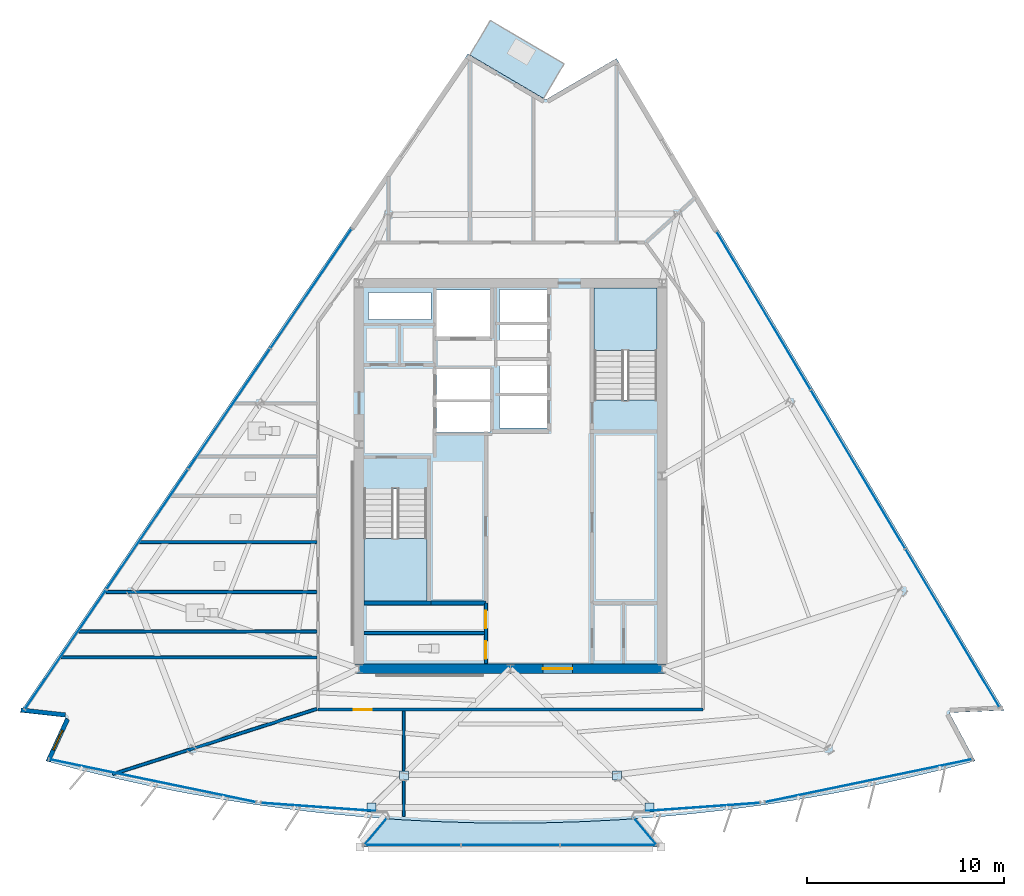
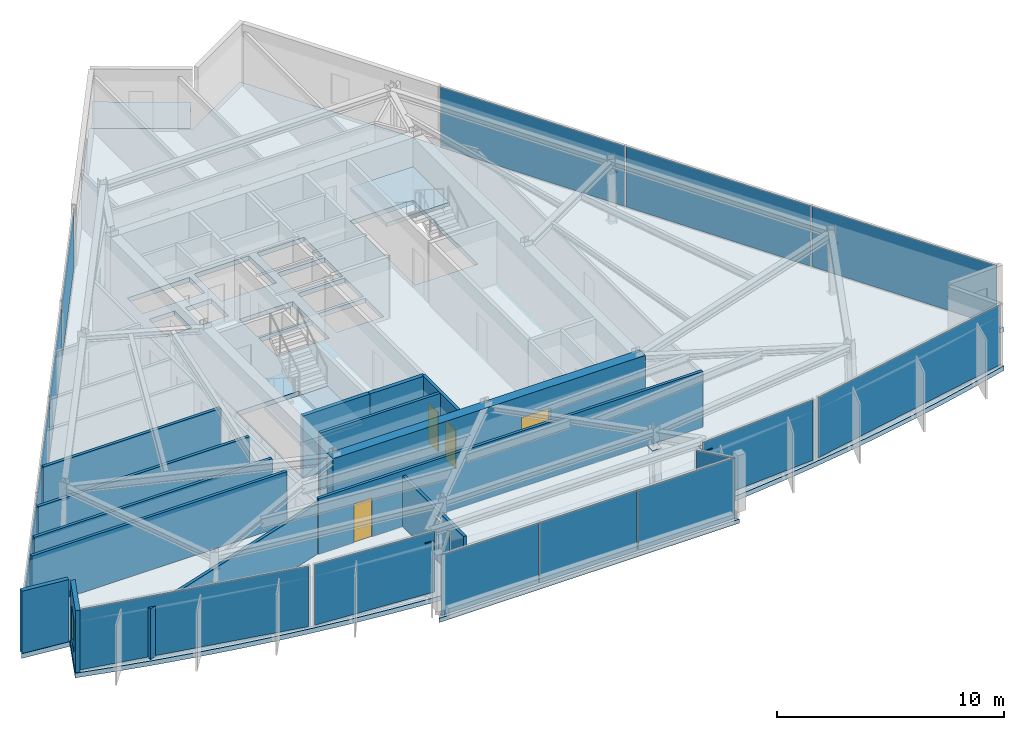
# One storey, part 7 of 14: 20 plates, 14 walls, 5 slabs, 4 doors, 1 window, 5 openings, 11 elements without a shape of their own.
"""IFC4 building model written with IfcOpenShell, lengths in metres."""

from ifc_helpers import new_model, si_unit, direction, frame, frame_2d, origin, origin_2d, place, context, subcontext, project, spatial, polyline, rectangle, outline, extrude, material, layer, layer_set, type_object, element, fill, aggregate, save


model = new_model("IFC4")

# Units and contexts
model_context = context("Model", 3, precision=1e-05, world=origin(), true_north=direction((0.0, 1.0)))
body_context = subcontext(model_context, "Body", "Model", "MODEL_VIEW")
ifc_project = project(units=[si_unit("LENGTHUNIT", "METRE"), si_unit("AREAUNIT", "SQUARE_METRE"), si_unit("VOLUMEUNIT", "CUBIC_METRE"), si_unit("PLANEANGLEUNIT", "RADIAN"), si_unit("MASSUNIT", "GRAM", prefix="KILO")], contexts=[model_context])

# Site, building, storey
site_placement = place(None, origin())
site = spatial("IfcSite", under=ifc_project, at=site_placement, CompositionType="ELEMENT")
building_placement = place(site_placement, origin())
building = spatial("IfcBuilding", under=site, at=building_placement, Name="Savorim Split Tower", CompositionType="ELEMENT")
storey_placement = place(building_placement, frame((0.0, 0.0, 234.300048828125)))
storey = spatial("IfcBuildingStorey", under=building, at=storey_placement, Name="L62", CompositionType="ELEMENT", Elevation=234.300048828125)

# Curtain wall, plate
ifc_material_1 = material(Name="Dark Ceramic-Fritted Insulated Glass", Category="glass")
curtain_wall_type_1 = type_object("IfcCurtainWallType", Name="CW-TWR-FRIT-B", PredefinedType="NOTDEFINED", material=ifc_material_1)
curtain_wall_1_placement = place(storey_placement, origin())
curtain_wall_1 = element("IfcCurtainWall", 1, at=curtain_wall_1_placement, inside=storey, type_object=curtain_wall_type_1, Name="L62 Curtain Wall CW-L62-SF1A", PredefinedType="NOTDEFINED")
ifc_layer_1 = layer(ifc_material_1, 0.02587890625)
ifc_layer_set_1 = layer_set([ifc_layer_1], Name="CWP-FRITB-26")
plate_type_1 = type_object("IfcPlateType", Name="CWP-FRITB-26", PredefinedType="CURTAIN_PANEL", material=ifc_layer_set_1)
plate_1_placement = place(storey_placement, frame((-18.205322265625, -15.09423828125, 0.050048828125), z_axis=(0.0, 0.0, 1.0), x_axis=(0.979134184169, -0.203214786352, 0.0)))
plate_1 = element("IfcPlate", 2, at=plate_1_placement, type_object=plate_type_1, Name="CW-03 panel 1.1", PredefinedType="CURTAIN_PANEL", context=body_context, shape_type="SweptSolid", body=[
    extrude(rectangle(XDim=10.70849609375, YDim=0.02587890625, at=origin_2d()), origin(), (0.0, 0.0, 1.0), 3.25),
])
aggregate(curtain_wall_1, [plate_1])

curtain_wall_2_placement = place(storey_placement, origin())
curtain_wall_2 = element("IfcCurtainWall", 3, at=curtain_wall_2_placement, inside=storey, type_object=curtain_wall_type_1, Name="L62 Curtain Wall CW-L62-SF2A", PredefinedType="NOTDEFINED")
plate_2_placement = place(storey_placement, frame((-9.7470703125, -16.433349609375, 0.050048828125), z_axis=(0.0, 0.0, 1.0), x_axis=(0.997436443549, -0.071557956097, 0.0)))
plate_2 = element("IfcPlate", 4, at=plate_2_placement, type_object=plate_type_1, Name="CW-03 panel 1.1", PredefinedType="CURTAIN_PANEL", context=body_context, shape_type="SweptSolid", body=[
    extrude(rectangle(XDim=5.845703125, YDim=0.02587890625, at=origin_2d()), origin(), (0.0, 0.0, 1.0), 3.25),
])
aggregate(curtain_wall_2, [plate_2])

curtain_wall_3_placement = place(storey_placement, origin())
curtain_wall_3 = element("IfcCurtainWall", 5, at=curtain_wall_3_placement, inside=storey, type_object=curtain_wall_type_1, Name="L62 Curtain Wall CW-L62-SF3A", PredefinedType="NOTDEFINED")
plate_3_placement = place(storey_placement, frame((9.7470703125, -16.433349609375, 0.050048828125), z_axis=(0.0, 0.0, 1.0), x_axis=(0.997436443549, 0.071557956097, 0.0)))
plate_3 = element("IfcPlate", 6, at=plate_3_placement, type_object=plate_type_1, Name="CW-03 panel 1.1", PredefinedType="CURTAIN_PANEL", context=body_context, shape_type="SweptSolid", body=[
    extrude(rectangle(XDim=5.845703125, YDim=0.02587890625, at=origin_2d()), origin(), (0.0, 0.0, 1.0), 3.25),
])
aggregate(curtain_wall_3, [plate_3])

curtain_wall_4_placement = place(storey_placement, origin())
curtain_wall_4 = element("IfcCurtainWall", 7, at=curtain_wall_4_placement, inside=storey, type_object=curtain_wall_type_1, Name="L62 Curtain Wall CW-L62-SF4A", PredefinedType="NOTDEFINED")
plate_4_placement = place(storey_placement, frame((18.205322265625, -15.09423828125, 0.050048828125), z_axis=(0.0, 0.0, 1.0), x_axis=(0.979134184169, 0.203214786352, 0.0)))
plate_4 = element("IfcPlate", 8, at=plate_4_placement, type_object=plate_type_1, Name="CW-03 panel 1.1", PredefinedType="CURTAIN_PANEL", context=body_context, shape_type="SweptSolid", body=[
    extrude(rectangle(XDim=10.70849609375, YDim=0.02587890625, at=origin_2d()), origin(), (0.0, 0.0, 1.0), 3.25),
])
aggregate(curtain_wall_4, [plate_4])

# Curtain wall, plates
curtain_wall_5_placement = place(storey_placement, origin())
curtain_wall_5 = element("IfcCurtainWall", 9, at=curtain_wall_5_placement, inside=storey, type_object=curtain_wall_type_1, Name="L62 Curtain Wall CW-L62-EAST", PredefinedType="NOTDEFINED")
plate_5_placement = place(storey_placement, frame((22.467041015625, -7.335205078125, 0.050048828125), z_axis=(0.0, 0.0, 1.0), x_axis=(-0.51109620442, 0.859523513249, 0.0)))
plate_5 = element("IfcPlate", 10, at=plate_5_placement, type_object=plate_type_1, Name="CW-03 panel 1.1", PredefinedType="CURTAIN_PANEL", context=body_context, shape_type="SweptSolid", body=[
    extrude(rectangle(XDim=9.3125, YDim=0.02587890625, at=origin_2d()), origin(), (0.0, 0.0, 1.0), 3.25),
])
plate_6_placement = place(storey_placement, frame((17.669189453125, 0.733642578125, 0.050048828125), z_axis=(0.0, 0.0, 1.0), x_axis=(-0.51109620442, 0.859523513249, 0.0)))
plate_6 = element("IfcPlate", 11, at=plate_6_placement, type_object=plate_type_1, Name="CW-03 panel 2.1", PredefinedType="CURTAIN_PANEL", context=body_context, shape_type="SweptSolid", body=[
    extrude(rectangle(XDim=9.342529296875, YDim=0.02587890625, at=origin_2d()), origin(), (0.0, 0.0, 1.0), 3.25),
])
plate_7_placement = place(storey_placement, frame((12.871337890625, 8.802490234375, 0.050048828125), z_axis=(0.0, 0.0, 1.0), x_axis=(-0.51109620442, 0.859523513249, 0.0)))
plate_7 = element("IfcPlate", 12, at=plate_7_placement, type_object=plate_type_1, Name="CW-03 panel 3.1", PredefinedType="CURTAIN_PANEL", context=body_context, shape_type="SweptSolid", body=[
    extrude(rectangle(XDim=9.3125, YDim=0.02587890625, at=origin_2d()), origin(), (0.0, 0.0, 1.0), 3.25),
])
aggregate(curtain_wall_5, [plate_5, plate_6, plate_7])

curtain_wall_6_placement = place(storey_placement, origin())
curtain_wall_6 = element("IfcCurtainWall", 13, at=curtain_wall_6_placement, inside=storey, type_object=curtain_wall_type_1, Name="L62 Curtain Wall CW-L62-WEST", PredefinedType="NOTDEFINED")
plate_8_placement = place(storey_placement, frame((-10.14208984375, 9.923583984375, 0.050048828125), z_axis=(0.0, 0.0, 1.0), x_axis=(-0.562466573779, -0.826820024782, 0.0)))
plate_8 = element("IfcPlate", 14, at=plate_8_placement, type_object=plate_type_1, Name="CW-03 panel 1.1", PredefinedType="CURTAIN_PANEL", context=body_context, shape_type="SweptSolid", body=[
    extrude(rectangle(XDim=7.317626953125, YDim=0.02587890625, at=origin_2d()), origin(), (0.0, 0.0, 1.0), 3.25),
])
plate_9_placement = place(storey_placement, frame((-14.300048828125, 3.811279296875, 0.050048828125), z_axis=(0.0, 0.0, 1.0), x_axis=(-0.562466573779, -0.826820024782, 0.0)))
plate_9 = element("IfcPlate", 15, at=plate_9_placement, type_object=plate_type_1, Name="CW-03 panel 2.1", PredefinedType="CURTAIN_PANEL", context=body_context, shape_type="SweptSolid", body=[
    extrude(rectangle(XDim=7.347412109375, YDim=0.02587890625, at=origin_2d()), origin(), (0.0, 0.0, 1.0), 3.25),
])
plate_10_placement = place(storey_placement, frame((-18.466552734375, -2.313232421875, 0.050048828125), z_axis=(0.0, 0.0, 1.0), x_axis=(-0.562466573779, -0.826820024782, 0.0)))
plate_10 = element("IfcPlate", 16, at=plate_10_placement, type_object=plate_type_1, Name="CW-03 panel 3.1", PredefinedType="CURTAIN_PANEL", context=body_context, shape_type="SweptSolid", body=[
    extrude(rectangle(XDim=7.347412109375, YDim=0.02587890625, at=origin_2d()), origin(), (0.0, 0.0, 1.0), 3.25),
])
plate_11_placement = place(storey_placement, frame((-22.62451171875, -8.425537109375, 0.050048828125), z_axis=(0.0, 0.0, 1.0), x_axis=(-0.562466573779, -0.826820024782, 0.0)))
plate_11 = element("IfcPlate", 17, at=plate_11_placement, type_object=plate_type_1, Name="CW-03 panel 4.1", PredefinedType="CURTAIN_PANEL", context=body_context, shape_type="SweptSolid", body=[
    extrude(rectangle(XDim=7.317626953125, YDim=0.02587890625, at=origin_2d()), origin(), (0.0, 0.0, 1.0), 3.25),
])
aggregate(curtain_wall_6, [plate_8, plate_9, plate_10, plate_11])

curtain_wall_type_2 = type_object("IfcCurtainWallType", Name="CW-BAY-LOUNGE", PredefinedType="NOTDEFINED", material=ifc_material_1)
curtain_wall_7_placement = place(storey_placement, origin())
curtain_wall_7 = element("IfcCurtainWall", 18, at=curtain_wall_7_placement, inside=storey, type_object=curtain_wall_type_2, Name="L62 Curtain Wall CW-L62-BAYF", PredefinedType="NOTDEFINED")
ifc_material_2 = material(Name="Low-E Operable Double Glazing", Category="glass")
ifc_layer_2 = layer(ifc_material_2, 0.031982421875)
ifc_layer_set_2 = layer_set([ifc_layer_2], Name="CWP-POD-32")
plate_type_2 = type_object("IfcPlateType", Name="CWP-POD-32", PredefinedType="CURTAIN_PANEL", material=ifc_layer_set_2)
plate_12_placement = place(storey_placement, frame((-5.006591796875, -18.36767578125, 0.05517578125), z_axis=(0.0, 0.0, 1.0), x_axis=(1.0, 0.0, 0.0)))
plate_12 = element("IfcPlate", 19, at=plate_12_placement, type_object=plate_type_2, Name="CW-04 panel 1.1", PredefinedType="CURTAIN_PANEL", context=body_context, shape_type="SweptSolid", body=[
    extrude(rectangle(XDim=4.92529296875, YDim=0.031982421875, at=origin_2d()), origin(), (0.0, 0.0, 1.0), 3.239990234375),
])
plate_13_placement = place(storey_placement, frame((0.0, -18.36767578125, 0.05517578125), z_axis=(0.0, 0.0, 1.0), x_axis=(1.0, 0.0, 0.0)))
plate_13 = element("IfcPlate", 20, at=plate_13_placement, type_object=plate_type_2, Name="CW-04 panel 2.1", PredefinedType="CURTAIN_PANEL", context=body_context, shape_type="SweptSolid", body=[
    extrude(rectangle(XDim=4.957763671875, YDim=0.031982421875, at=origin_2d()), origin(), (0.0, 0.0, 1.0), 3.239990234375),
])
plate_14_placement = place(storey_placement, frame((5.006591796875, -18.36767578125, 0.05517578125), z_axis=(0.0, 0.0, 1.0), x_axis=(1.0, 0.0, 0.0)))
plate_14 = element("IfcPlate", 21, at=plate_14_placement, type_object=plate_type_2, Name="CW-04 panel 3.1", PredefinedType="CURTAIN_PANEL", context=body_context, shape_type="SweptSolid", body=[
    extrude(rectangle(XDim=4.92529296875, YDim=0.031982421875, at=origin_2d()), origin(), (0.0, 0.0, 1.0), 3.239990234375),
])
aggregate(curtain_wall_7, [plate_12, plate_13, plate_14])

# Curtain wall, plate
curtain_wall_8_placement = place(storey_placement, origin())
curtain_wall_8 = element("IfcCurtainWall", 22, at=curtain_wall_8_placement, inside=storey, type_object=curtain_wall_type_2, Name="L62 Curtain Wall CW-L62-BAYW", PredefinedType="NOTDEFINED")
plate_15_placement = place(storey_placement, frame((-6.853759765625, -17.67431640625, 0.05517578125), z_axis=(0.0, 0.0, 1.0), x_axis=(-0.645006207741, -0.764177330189, 0.0)))
plate_15 = element("IfcPlate", 23, at=plate_15_placement, type_object=plate_type_2, Name="CW-04 panel 1.1", PredefinedType="CURTAIN_PANEL", context=body_context, shape_type="SweptSolid", body=[
    extrude(rectangle(XDim=1.705078125, YDim=0.031982421875, at=origin_2d()), origin(), (0.0, 0.0, 1.0), 3.239990234375),
])
aggregate(curtain_wall_8, [plate_15])

curtain_wall_9_placement = place(storey_placement, origin())
curtain_wall_9 = element("IfcCurtainWall", 24, at=curtain_wall_9_placement, inside=storey, type_object=curtain_wall_type_2, Name="L62 Curtain Wall CW-L62-BAYE", PredefinedType="NOTDEFINED")
plate_16_placement = place(storey_placement, frame((6.853759765625, -17.67431640625, 0.05517578125), z_axis=(0.0, 0.0, 1.0), x_axis=(-0.645006207741, 0.764177330189, 0.0)))
plate_16 = element("IfcPlate", 25, at=plate_16_placement, type_object=plate_type_2, Name="CW-04 panel 1.1", PredefinedType="CURTAIN_PANEL", context=body_context, shape_type="SweptSolid", body=[
    extrude(rectangle(XDim=1.705078125, YDim=0.031982421875, at=origin_2d()), origin(), (0.0, 0.0, 1.0), 3.239990234375),
])
aggregate(curtain_wall_9, [plate_16])

# Plates
ifc_material_3 = material(Name="Steel S460", Category="steel")
ifc_layer_3 = layer(ifc_material_3, 0.02490234375)
ifc_layer_set_3 = layer_set([ifc_layer_3], Name="PLT-NODE-CN1")
plate_type_3 = type_object("IfcPlateType", Name="PLT-NODE-CN1", PredefinedType="SHEET", material=ifc_layer_set_3)
for number, where, z_axis, x_axis, name in (
    (26, (-5.421142578125, -14.832275390625, 2.4375), (0.0, 0.0, 1.0), (1.0, 0.0, 0.0), "L62 Bay Strut Column Gusset Plate 1"),
    (27, (-7.078369140625, -16.4501953125, 2.8076171875), (0.0, 0.0, 1.0), (1.0, 0.0, 0.0), "L62 Bay Strut Tip Gusset Plate 1"),
    (28, (5.421142578125, -14.832275390625, 2.4375), (0.0, 0.0, 1.0), (1.0, 0.0, 0.0), "L62 Bay Strut Column Gusset Plate 2"),
    (29, (7.078369140625, -16.4501953125, 2.8076171875), (0.0, 0.0, 1.0), (1.0, 0.0, 0.0), "L62 Bay Strut Tip Gusset Plate 2"),
):
    element("IfcPlate", number, at=place(storey_placement, frame(where, z_axis=z_axis, x_axis=x_axis)), inside=storey, type_object=plate_type_3, Name=name, PredefinedType="SHEET", context=body_context, shape_type="SweptSolid", body=[
        extrude(rectangle(XDim=0.4599609375, YDim=0.4599609375, at=origin_2d()), origin(), (0.0, 0.0, 1.0), 0.02490234375),
    ])

# Slabs
ifc_material_4 = material(Name="Concrete C50/60", Category="concrete")
ifc_layer_4 = layer(ifc_material_4, 0.219970703125)
ifc_layer_set_4 = layer_set([ifc_layer_4], Name="SLB-BAL-220")
slab_type_1 = type_object("IfcSlabType", Name="SLB-BAL-220", PredefinedType="FLOOR", material=ifc_layer_set_4)
slab_1_placement = place(storey_placement, frame((0.0, 0.0, -0.219970703125)))
element("IfcSlab", 30, at=slab_1_placement, inside=storey, type_object=slab_type_1, Name="L62 Cantilevered Shared Kitchen Lounge Slab", PredefinedType="FLOOR", context=body_context, shape_type="SweptSolid", body=[
    extrude(outline(polyline([(6.430419921875, -17.017822265625), (5.51416015625, -17.08349609375), (3.677490234375, -17.177490234375), (1.839111328125, -17.23388671875), (0.0, -17.252685546875), (-1.839111328125, -17.23388671875), (-3.677490234375, -17.177490234375), (-5.51416015625, -17.08349609375), (-6.430419921875, -17.017822265625), (-7.654052734375, -18.467529296875), (7.654052734375, -18.467529296875), (6.430419921875, -17.017822265625)])), origin(), (0.0, 0.0, 1.0), 0.219970703125),
])
slab_2_placement = place(storey_placement, frame((0.0, 0.0, -0.219970703125)))
element("IfcSlab", 31, at=slab_2_placement, inside=storey, type_object=slab_type_1, Name="L62 Notched Corner Planted Tree Balcony Slab", PredefinedType="FLOOR", context=body_context, shape_type="SweptSolid", body=[
    extrude(outline(polyline([(-2.064208984375, 21.799072265625), (1.687744140625, 19.59375), (2.72412109375, 21.356689453125), (-1.028076171875, 23.56201171875), (-2.064208984375, 21.799072265625)])), origin(), (0.0, 0.0, 1.0), 0.219970703125),
])

# Stair, slab
stair_type = type_object("IfcStairType", Name="STR-DOG-3600", PredefinedType="HALF_TURN_STAIR", material=ifc_material_4)
stair_1_placement = place(storey_placement, origin())
stair_1 = element("IfcStair", 32, at=stair_1_placement, inside=storey, type_object=stair_type, Name="L62 Core Protected Exit Stair ST-1", PredefinedType="HALF_TURN_STAIR")
ifc_layer_5 = layer(ifc_material_4, 0.199951171875)
ifc_layer_set_5 = layer_set([ifc_layer_5], Name="SLB-LND-200")
slab_type_2 = type_object("IfcSlabType", Name="SLB-LND-200", PredefinedType="LANDING", material=ifc_layer_set_5)
slab_3_placement = place(storey_placement, frame((0.0, 0.0, 1.599853515625)))
slab_3 = element("IfcSlab", 33, at=slab_3_placement, type_object=slab_type_2, Name="ST-1 landing 1", PredefinedType="LANDING", context=body_context, shape_type="SweptSolid", body=[
    extrude(outline(polyline([(-7.449951171875, -2.77001953125), (-7.449951171875, -5.949951171875), (-4.25, -5.949951171875), (-4.25, -2.77001953125), (-7.449951171875, -2.77001953125)])), origin(), (0.0, 0.0, 1.0), 0.2001953125),
])
aggregate(stair_1, [slab_3])

stair_2_placement = place(storey_placement, origin())
stair_2 = element("IfcStair", 34, at=stair_2_placement, inside=storey, type_object=stair_type, Name="L62 Core Protected Exit Stair ST-2", PredefinedType="HALF_TURN_STAIR")
slab_4_placement = place(storey_placement, frame((0.0, 0.0, 1.599853515625)))
slab_4 = element("IfcSlab", 35, at=slab_4_placement, type_object=slab_type_2, Name="ST-2 landing 1", PredefinedType="LANDING", context=body_context, shape_type="SweptSolid", body=[
    extrude(outline(polyline([(7.449951171875, 6.77001953125), (7.449951171875, 9.949951171875), (4.25, 9.949951171875), (4.25, 6.77001953125), (7.449951171875, 6.77001953125)])), origin(), (0.0, 0.0, 1.0), 0.2001953125),
])
aggregate(stair_2, [slab_4])

# Slab
ifc_layer_6 = layer(ifc_material_4, 0.25)
ifc_layer_set_6 = layer_set([ifc_layer_6], Name="SLB-TWR-250")
slab_type_3 = type_object("IfcSlabType", Name="SLB-TWR-250", PredefinedType="FLOOR", material=ifc_layer_set_6)
slab_5_placement = place(storey_placement, frame((0.0, 0.0, -0.25)))
element("IfcSlab", 36, at=slab_5_placement, inside=storey, type_object=slab_type_3, Name="L62 Structural Floor Slab", PredefinedType="FLOOR", context=body_context, shape_type="SweptSolid", body=[
    extrude(outline(polyline([(-23.62890625, -14.09130859375), (-21.849609375, -14.556396484375), (-20.06103515625, -14.9853515625), (-18.26416015625, -15.37744140625), (-16.45947265625, -15.73291015625), (-14.648193359375, -16.051025390625), (-12.83056640625, -16.332275390625), (-11.007568359375, -16.576171875), (-9.179931640625, -16.78271484375), (-7.3486328125, -16.951904296875), (-5.51416015625, -17.08349609375), (-3.677490234375, -17.177490234375), (-1.839111328125, -17.23388671875), (0.0, -17.252685546875), (1.839111328125, -17.23388671875), (3.677490234375, -17.177490234375), (5.51416015625, -17.08349609375), (7.3486328125, -16.951904296875), (9.179931640625, -16.78271484375), (11.007568359375, -16.576171875), (12.83056640625, -16.332275390625), (14.648193359375, -16.051025390625), (16.45947265625, -15.73291015625), (18.26416015625, -15.37744140625), (20.06103515625, -14.9853515625), (21.849609375, -14.556396484375), (23.62890625, -14.09130859375), (22.310791015625, -11.635009765625), (25.09326171875, -11.5166015625), (5.38623046875, 21.625244140625), (1.788818359375, 19.528564453125), (-2.17041015625, 21.85546875), (-24.939208984375, -11.61474609375), (-22.6103515625, -11.874755859375), (-23.62890625, -14.09130859375)]), holes=[polyline([(-7.449951171875, -0.25390625), (-7.449951171875, -5.949951171875), (-4.25, -5.949951171875), (-4.25, -0.25390625), (-7.449951171875, -0.25390625)]), polyline([(7.449951171875, 4.25390625), (7.449951171875, 9.949951171875), (4.25, 9.949951171875), (4.25, 4.25390625), (7.449951171875, 4.25390625)]), polyline([(-0.550048828125, 2.830078125), (1.85009765625, 2.830078125), (1.85009765625, 4.469970703125), (-0.550048828125, 4.469970703125), (-0.550048828125, 2.830078125)]), polyline([(-0.550048828125, 4.6298828125), (1.85009765625, 4.6298828125), (1.85009765625, 6.27001953125), (-0.550048828125, 6.27001953125), (-0.550048828125, 4.6298828125)]), polyline([(-0.550048828125, 6.429931640625), (1.85009765625, 6.429931640625), (1.85009765625, 8.070068359375), (-0.550048828125, 8.070068359375), (-0.550048828125, 6.429931640625)]), polyline([(-0.550048828125, 8.22998046875), (1.85009765625, 8.22998046875), (1.85009765625, 9.8701171875), (-0.550048828125, 9.8701171875), (-0.550048828125, 8.22998046875)]), polyline([(-3.75, 2.60009765625), (-1.050048828125, 2.60009765625), (-1.050048828125, 4.159912109375), (-3.75, 4.159912109375), (-3.75, 2.60009765625)]), polyline([(-3.75, 4.280029296875), (-1.050048828125, 4.280029296875), (-1.050048828125, 5.840087890625), (-3.75, 5.840087890625), (-3.75, 4.280029296875)]), polyline([(-3.75, 7.449951171875), (-0.949951171875, 7.449951171875), (-0.949951171875, 9.85009765625), (-3.75, 9.85009765625), (-3.75, 7.449951171875)]), polyline([(-7.219970703125, 6.320068359375), (-5.919921875, 6.320068359375), (-5.919921875, 7.820068359375), (-7.219970703125, 7.820068359375), (-7.219970703125, 6.320068359375)]), polyline([(-5.3798828125, 6.320068359375), (-4.050048828125, 6.320068359375), (-4.050048828125, 7.820068359375), (-5.3798828125, 7.820068359375), (-5.3798828125, 6.320068359375)]), polyline([(-7.219970703125, 8.360107421875), (-4.050048828125, 8.360107421875), (-4.050048828125, 9.719970703125), (-7.219970703125, 9.719970703125), (-7.219970703125, 8.360107421875)])]), origin(), (0.0, 0.0, 1.0), 0.25),
])

# Wall, opening, door
ifc_material_5 = material(Name="Concrete C60/75", Category="concrete")
ifc_layer_7 = layer(ifc_material_5, 0.5)
ifc_layer_set_7 = layer_set([ifc_layer_7], Name="WAL-COR-SH500")
wall_type_1 = type_object("IfcWallType", Name="WAL-COR-SH500", PredefinedType="SHEAR", material=ifc_layer_set_7)
wall_1_placement = place(storey_placement, frame((-7.949951171875, -9.39990234375, 0.0), z_axis=(0.0, 0.0, 1.0), x_axis=(1.0, 0.0, 0.0)))
wall_1 = element("IfcWall", 37, at=wall_1_placement, inside=storey, type_object=wall_type_1, Name="L62 Offset Core South Shear Wall", PredefinedType="SHEAR", context=body_context, shape_type="SweptSolid", body=[
    extrude(rectangle(XDim=15.89990234375, YDim=0.5, at=frame_2d((7.949951171875, 0.0))), origin(), (0.0, 0.0, 1.0), 3.349853515625),
])
opening_1_placement = place(wall_1_placement, frame((9.60009765625, 0.0, 0.0)))
opening_1 = element("IfcOpeningElement", 38, at=opening_1_placement, cuts=wall_1, Name="Opening DI-02", PredefinedType="OPENING", context=body_context, shape_type="SweptSolid", body=[
    extrude(rectangle(XDim=1.5, YDim=2.199951171875, at=frame_2d((0.75, 1.10009765625))), frame((0.0, 0.260009765625, 0.0), z_axis=(0.0, -1.0, 0.0), x_axis=(1.0, 0.0, 0.0)), (0.0, 0.0, 1.0), 0.52001953125),
])
ifc_material_6 = material(Name="Timber Fire Door Leaf", Category="wood")
door_type_1 = type_object("IfcDoorType", Name="DOR-DBL-1500", OperationType="NOTDEFINED", PredefinedType="DOOR", material=ifc_material_6)
door_1_placement = place(opening_1_placement, origin())
door_1 = element("IfcDoor", 39, at=door_1_placement, inside=storey, type_object=door_type_1, Name="DOR-L62-COR-LLOB - L62 Lift Lobby Main Rated Door", OperationType="DOUBLE_DOOR_SINGLE_SWING", OverallHeight=2.199951171875, OverallWidth=1.5, PredefinedType="DOOR", context=body_context, shape_type="SweptSolid", body=[
    extrude(rectangle(XDim=1.5, YDim=2.199951171875, at=frame_2d((0.75, 1.10009765625))), frame((0.0, 0.02490234375, 0.0), z_axis=(0.0, -1.0, 0.0), x_axis=(1.0, 0.0, 0.0)), (0.0, 0.0, 1.0), 0.050048828125),
])
fill(opening_1, door_1)

# Wall
ifc_material_7 = material(Name="Precast concrete C40/50", Category="concrete")
ifc_layer_8 = layer(ifc_material_7, 0.219970703125)
ifc_layer_set_8 = layer_set([ifc_layer_8], Name="WAL-EXT-CRN220")
wall_type_2 = type_object("IfcWallType", Name="WAL-EXT-CRN220", PredefinedType="SOLIDWALL", material=ifc_layer_set_8)
wall_2_placement = place(storey_placement, frame((-22.63671875, -11.751220703125, 0.0), z_axis=(0.0, 0.0, 1.0), x_axis=(-0.993821756753, 0.110987908368, 0.0)))
element("IfcWall", 40, at=wall_2_placement, inside=storey, type_object=wall_type_2, Name="L62 Notched Corner Facade Wall SW1", PredefinedType="SOLIDWALL", context=body_context, shape_type="SweptSolid", body=[
    extrude(rectangle(XDim=2.263427734375, YDim=0.219970703125, at=frame_2d((1.1318359375, 0.0))), origin(), (0.0, 0.0, 1.0), 3.349853515625),
])

# Wall, opening, window
wall_3_placement = place(storey_placement, frame((-23.503173828125, -14.10498046875, 0.0), z_axis=(0.0, 0.0, 1.0), x_axis=(0.417541737863, 0.908657744777, 0.0)))
wall_3 = element("IfcWall", 41, at=wall_3_placement, inside=storey, type_object=wall_type_2, Name="L62 Notched Corner Facade Wall SW", PredefinedType="SOLIDWALL", context=body_context, shape_type="SweptSolid", body=[
    extrude(rectangle(XDim=2.359375, YDim=0.219970703125, at=frame_2d((1.1796875, 0.0))), origin(), (0.0, 0.0, 1.0), 3.349853515625),
])
opening_2_placement = place(wall_3_placement, frame((0.629638671875, 0.0, 0.6201171875)))
opening_2 = element("IfcOpeningElement", 42, at=opening_2_placement, cuts=wall_3, Name="Opening WN-09", PredefinedType="OPENING", context=body_context, shape_type="SweptSolid", body=[
    extrude(rectangle(XDim=1.10009765625, YDim=1.800048828125, at=frame_2d((0.550048828125, 0.89990234375))), frame((0.0, 0.119873046875, 0.0), z_axis=(0.0, -1.0, 0.0), x_axis=(1.0, 0.0, 0.0)), (0.0, 0.0, 1.0), 0.239990234375),
])
window_type = type_object("IfcWindowType", Name="WIN-TWR-1100x1800", PartitioningType="SINGLE_PANEL", PredefinedType="WINDOW", material=ifc_material_2)
window_placement = place(opening_2_placement, origin())
window = element("IfcWindow", 43, at=window_placement, inside=storey, type_object=window_type, Name="L62 Operable Corner Window SW", OverallHeight=1.800048828125, OverallWidth=1.10009765625, PartitioningType="SINGLE_PANEL", PredefinedType="WINDOW", context=body_context, shape_type="SweptSolid", body=[
    extrude(rectangle(XDim=1.10009765625, YDim=1.800048828125, at=frame_2d((0.550048828125, 0.89990234375))), frame((0.0, 0.030029296875, 0.0), z_axis=(0.0, -1.0, 0.0), x_axis=(1.0, 0.0, 0.0)), (0.0, 0.0, 1.0), 0.06005859375),
])
fill(opening_2, window)

# Walls
ifc_layer_9 = layer(ifc_material_4, 0.199951171875)
ifc_layer_set_9 = layer_set([ifc_layer_9], Name="WAL-INT-RC200")
wall_type_3 = type_object("IfcWallType", Name="WAL-INT-RC200", PredefinedType="SOLIDWALL", material=ifc_layer_set_9)
wall_4_placement = place(storey_placement, frame((-7.449951171875, -6.050048828125, 0.0), z_axis=(0.0, 0.0, 1.0), x_axis=(1.0, 0.0, 0.0)))
element("IfcWall", 44, at=wall_4_placement, inside=storey, type_object=wall_type_3, Name="L62 Structural Shaft Wall W-L62-KSEP-W", PredefinedType="SOLIDWALL", context=body_context, shape_type="SweptSolid", body=[
    extrude(rectangle(XDim=3.39990234375, YDim=0.199951171875, at=frame_2d((1.699951171875, 0.0))), origin(), (0.0, 0.0, 1.0), 3.349853515625),
])
wall_5_placement = place(storey_placement, frame((-4.0400390625, -6.050048828125, 0.0), z_axis=(0.0, 0.0, 1.0), x_axis=(1.0, 0.0, 0.0)))
element("IfcWall", 45, at=wall_5_placement, inside=storey, type_object=wall_type_3, Name="L62 Partition W-L62-KSEP-W2", PredefinedType="SOLIDWALL", context=body_context, shape_type="SweptSolid", body=[
    extrude(rectangle(XDim=2.7900390625, YDim=0.199951171875, at=frame_2d((1.39501953125, 0.0))), origin(), (0.0, 0.0, 1.0), 3.349853515625),
])

# Wall, openings, doors
ifc_material_8 = material(Name="Acoustic Gypsum Partition Board")
ifc_layer_10 = layer(ifc_material_8, 0.14990234375)
ifc_layer_set_10 = layer_set([ifc_layer_10], Name="WAL-PAR-150")
wall_type_4 = type_object("IfcWallType", Name="WAL-PAR-150", PredefinedType="PARTITIONING", material=ifc_layer_set_10)
wall_6_placement = place(storey_placement, frame((-1.25, -9.14501953125, 0.0), z_axis=(0.0, 0.0, 1.0), x_axis=(0.0, 1.0, 0.0)))
wall_6 = element("IfcWall", 46, at=wall_6_placement, inside=storey, type_object=wall_type_4, Name="L62 Partition W-L62-KLOB-W", PredefinedType="PARTITIONING", context=body_context, shape_type="SweptSolid", body=[
    extrude(rectangle(XDim=3.094970703125, YDim=0.14990234375, at=frame_2d((1.54736328125, 0.0))), origin(), (0.0, 0.0, 1.0), 3.349853515625),
])
opening_3_placement = place(wall_6_placement, frame((1.794921875, 0.0, 0.0)))
opening_3 = element("IfcOpeningElement", 47, at=opening_3_placement, cuts=wall_6, Name="Opening DI-06", PredefinedType="OPENING", context=body_context, shape_type="SweptSolid", body=[
    extrude(rectangle(XDim=0.89990234375, YDim=2.10009765625, at=frame_2d((0.449951171875, 1.050048828125))), frame((0.0, 0.0849609375, 0.0), z_axis=(0.0, -1.0, 0.0), x_axis=(1.0, 0.0, 0.0)), (0.0, 0.0, 1.0), 0.169921875),
])
opening_4_placement = place(wall_6_placement, frame((0.2451171875, 0.0, 0.0)))
opening_4 = element("IfcOpeningElement", 48, at=opening_4_placement, cuts=wall_6, Name="Opening DI-11", PredefinedType="OPENING", context=body_context, shape_type="SweptSolid", body=[
    extrude(rectangle(XDim=0.89990234375, YDim=2.10009765625, at=frame_2d((0.449951171875, 1.050048828125))), frame((0.0, 0.0849609375, 0.0), z_axis=(0.0, -1.0, 0.0), x_axis=(1.0, 0.0, 0.0)), (0.0, 0.0, 1.0), 0.169921875),
])
door_type_2 = type_object("IfcDoorType", Name="DOR-FIR-900", OperationType="NOTDEFINED", PredefinedType="DOOR", material=ifc_material_6)
door_2_placement = place(opening_3_placement, origin())
door_2 = element("IfcDoor", 49, at=door_2_placement, inside=storey, type_object=door_type_2, Name="DR-L62-K2CLN - L62 Cleaning Store Door", OperationType="SINGLE_SWING_LEFT", OverallHeight=2.10009765625, OverallWidth=0.89990234375, PredefinedType="DOOR", context=body_context, shape_type="SweptSolid", body=[
    extrude(rectangle(XDim=0.89990234375, YDim=2.10009765625, at=frame_2d((0.449951171875, 1.050048828125))), frame((0.0, 0.02490234375, 0.0), z_axis=(0.0, -1.0, 0.0), x_axis=(1.0, 0.0, 0.0)), (0.0, 0.0, 1.0), 0.050048828125),
])
fill(opening_3, door_2)
ifc_material_9 = material(Name="Oak Veneer Acoustic Door")
door_type_3 = type_object("IfcDoorType", Name="DOR-WC-900", OperationType="NOTDEFINED", PredefinedType="DOOR", material=ifc_material_9)
door_3_placement = place(opening_4_placement, origin())
door_3 = element("IfcDoor", 50, at=door_3_placement, inside=storey, type_object=door_type_3, Name="DR-L62-K2WC - L62 Core WC Door", OperationType="SINGLE_SWING_RIGHT", OverallHeight=2.10009765625, OverallWidth=0.89990234375, PredefinedType="DOOR", context=body_context, shape_type="SweptSolid", body=[
    extrude(rectangle(XDim=0.89990234375, YDim=2.10009765625, at=frame_2d((0.449951171875, 1.050048828125))), frame((0.0, 0.02490234375, 0.0), z_axis=(0.0, -1.0, 0.0), x_axis=(1.0, 0.0, 0.0)), (0.0, 0.0, 1.0), 0.050048828125),
])
fill(opening_4, door_3)

# Wall
wall_7_placement = place(storey_placement, frame((-7.445068359375, -7.580078125, 0.0), z_axis=(0.0, 0.0, 1.0), x_axis=(1.0, 0.0, 0.0)))
element("IfcWall", 51, at=wall_7_placement, inside=storey, type_object=wall_type_4, Name="L62 Partition W-L62-K2H", PredefinedType="PARTITIONING", context=body_context, shape_type="SweptSolid", body=[
    extrude(rectangle(XDim=6.195068359375, YDim=0.14990234375, at=frame_2d((3.09765625, 0.0))), origin(), (0.0, 0.0, 1.0), 3.349853515625),
])

# Wall, opening, door
wall_8_placement = place(storey_placement, frame((9.780029296875, -11.47998046875, 0.0), z_axis=(0.0, 0.0, 1.0), x_axis=(-1.0, 0.0, 0.0)))
wall_8 = element("IfcWall", 52, at=wall_8_placement, inside=storey, type_object=wall_type_4, Name="L62 Partition W-L62-COR-06", PredefinedType="PARTITIONING", context=body_context, shape_type="SweptSolid", body=[
    extrude(rectangle(XDim=19.56005859375, YDim=0.14990234375, at=frame_2d((9.780029296875, 0.0))), origin(), (0.0, 0.0, 1.0), 3.0048828125),
])
opening_5_placement = place(wall_8_placement, frame((16.84375, 0.0, 0.0)))
opening_5 = element("IfcOpeningElement", 53, at=opening_5_placement, cuts=wall_8, Name="Opening DI-06", PredefinedType="OPENING", context=body_context, shape_type="SweptSolid", body=[
    extrude(rectangle(XDim=0.89990234375, YDim=2.10009765625, at=frame_2d((0.449951171875, 1.050048828125))), frame((0.0, 0.0849609375, 0.0), z_axis=(0.0, -1.0, 0.0), x_axis=(1.0, 0.0, 0.0)), (0.0, 0.0, 1.0), 0.169921875),
])
door_4_placement = place(opening_5_placement, origin())
door_4 = element("IfcDoor", 54, at=door_4_placement, inside=storey, type_object=door_type_2, Name="DR-L62-RM07 - L62 Communal Lounge Entry Door", OperationType="SINGLE_SWING_RIGHT", OverallHeight=2.10009765625, OverallWidth=0.89990234375, PredefinedType="DOOR", context=body_context, shape_type="SweptSolid", body=[
    extrude(rectangle(XDim=0.89990234375, YDim=2.10009765625, at=frame_2d((0.449951171875, 1.050048828125))), frame((0.0, 0.02490234375, 0.0), z_axis=(0.0, -1.0, 0.0), x_axis=(1.0, 0.0, 0.0)), (0.0, 0.0, 1.0), 0.050048828125),
])
fill(opening_5, door_4)

# Walls
wall_9_placement = place(storey_placement, frame((-9.833740234375, -11.440673828125, 0.0), z_axis=(0.0, 0.0, 1.0), x_axis=(-0.952464105683, -0.304650828631, 0.0)))
element("IfcWall", 55, at=wall_9_placement, inside=storey, type_object=wall_type_4, Name="L62 Partition W-L62-PRAD01", PredefinedType="PARTITIONING", context=body_context, shape_type="SweptSolid", body=[
    extrude(rectangle(XDim=10.9228515625, YDim=0.14990234375, at=frame_2d((5.46142578125, 0.0))), origin(), (0.0, 0.0, 1.0), 2.724853515625),
])
wall_10_placement = place(storey_placement, frame((-5.42578125, -11.5400390625, 0.0), z_axis=(0.0, 0.0, 1.0), x_axis=(0.0, -1.0, 0.0)))
element("IfcWall", 56, at=wall_10_placement, inside=storey, type_object=wall_type_4, Name="L62 Partition W-L62-PRAD02", PredefinedType="PARTITIONING", context=body_context, shape_type="SweptSolid", body=[
    extrude(rectangle(XDim=5.377685546875, YDim=0.14990234375, at=frame_2d((2.68896484375, 0.0))), origin(), (0.0, 0.0, 1.0), 2.724853515625),
])
wall_11_placement = place(storey_placement, frame((-9.840087890625, -5.49609375, 0.0), z_axis=(0.0, 0.0, 1.0), x_axis=(-1.0, 0.0, 0.0)))
element("IfcWall", 57, at=wall_11_placement, inside=storey, type_object=wall_type_4, Name="L62 Partition W-L62-PRAD10", PredefinedType="PARTITIONING", context=body_context, shape_type="SweptSolid", body=[
    extrude(rectangle(XDim=10.731201171875, YDim=0.14990234375, at=frame_2d((5.36572265625, 0.0))), origin(), (0.0, 0.0, 1.0), 2.724853515625),
])
wall_12_placement = place(storey_placement, frame((-9.840087890625, -8.8203125, 0.0), z_axis=(0.0, 0.0, 1.0), x_axis=(-1.0, 0.0, 0.0)))
element("IfcWall", 58, at=wall_12_placement, inside=storey, type_object=wall_type_4, Name="L62 Partition W-L62-SUB02", PredefinedType="PARTITIONING", context=body_context, shape_type="SweptSolid", body=[
    extrude(rectangle(XDim=12.99267578125, YDim=0.14990234375, at=frame_2d((6.496337890625, 0.0))), origin(), (0.0, 0.0, 1.0), 2.875),
])
wall_13_placement = place(storey_placement, frame((-9.840087890625, -2.967041015625, 0.0), z_axis=(0.0, 0.0, 1.0), x_axis=(-1.0, 0.0, 0.0)))
element("IfcWall", 59, at=wall_13_placement, inside=storey, type_object=wall_type_4, Name="L62 Partition W-L62-SUB04", PredefinedType="PARTITIONING", context=body_context, shape_type="SweptSolid", body=[
    extrude(rectangle(XDim=9.0107421875, YDim=0.14990234375, at=frame_2d((4.50537109375, 0.0))), origin(), (0.0, 0.0, 1.0), 2.724853515625),
])
wall_14_placement = place(storey_placement, frame((-9.840087890625, -7.511474609375, 0.0), z_axis=(0.0, 0.0, 1.0), x_axis=(-1.0, 0.0, 0.0)))
element("IfcWall", 60, at=wall_14_placement, inside=storey, type_object=wall_type_4, Name="L62 Partition W-L62-SUB05", PredefinedType="PARTITIONING", context=body_context, shape_type="SweptSolid", body=[
    extrude(rectangle(XDim=12.102294921875, YDim=0.14990234375, at=frame_2d((6.05126953125, 0.0))), origin(), (0.0, 0.0, 1.0), 2.77490234375),
])

save(model, "model.ifc")
